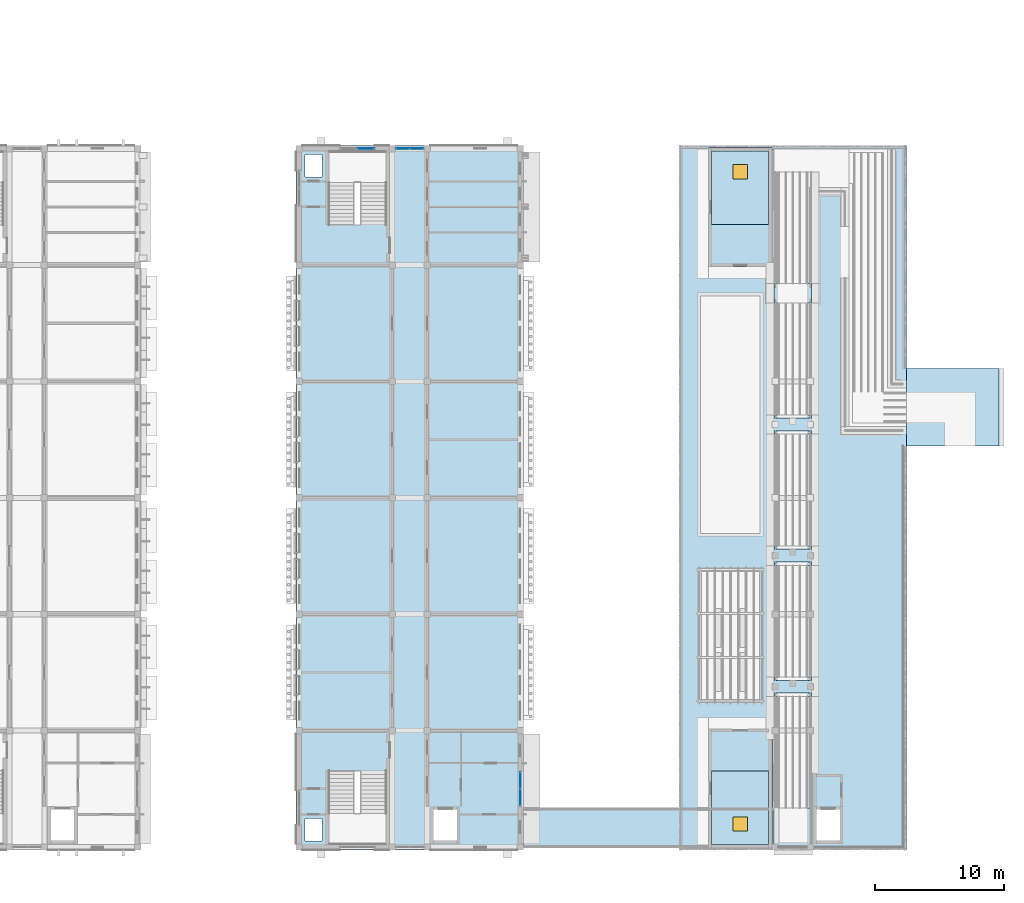
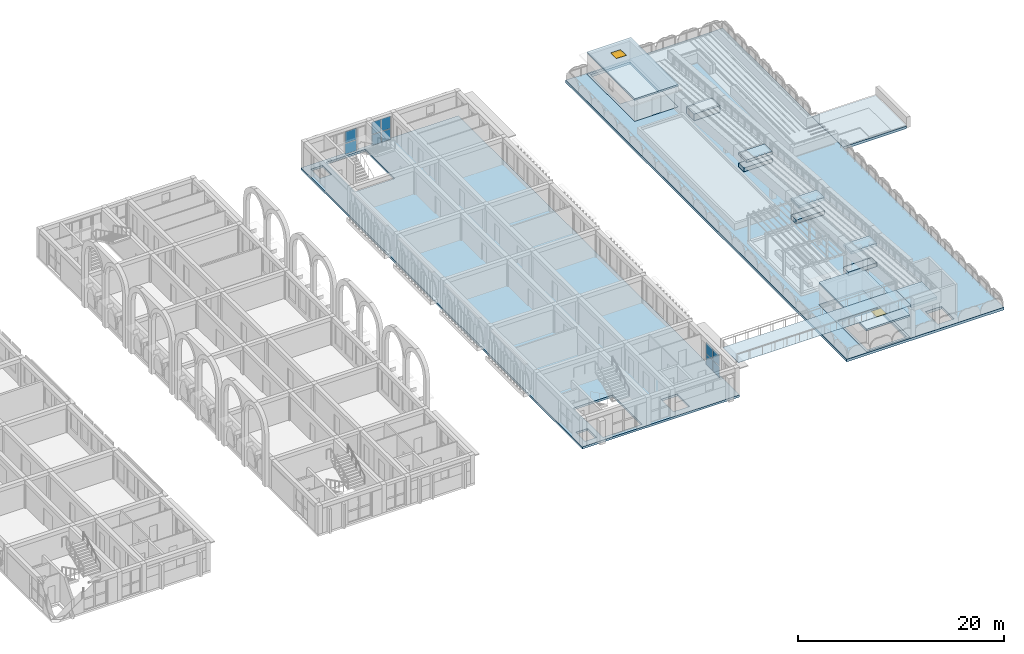
# One storey, part 32 of 70: 16 slabs, 10 plates, 2 windows, 2 openings, 4 elements without a shape of their own.
"""IFC4 building model written with IfcOpenShell, lengths in metres."""

from ifc_helpers import new_model, si_unit, direction, frame, origin, origin_2d, place, context, subcontext, project, spatial, polyline, rectangle, outline, extrude, material, layer, layer_set, type_object, element, fill, aggregate, save


model = new_model("IFC4")

# Units and contexts
model_context = context("Model", 3, precision=1e-05, world=origin(), true_north=direction((0.0, 1.0)))
body_context = subcontext(model_context, "Body", "Model", "MODEL_VIEW")
ifc_project = project(units=[si_unit("LENGTHUNIT", "METRE"), si_unit("AREAUNIT", "SQUARE_METRE"), si_unit("VOLUMEUNIT", "CUBIC_METRE"), si_unit("PLANEANGLEUNIT", "RADIAN"), si_unit("MASSUNIT", "GRAM", prefix="KILO")], contexts=[model_context])

# Site, building, storey
site_placement = place(None, origin())
site = spatial("IfcSite", under=ifc_project, at=site_placement, CompositionType="ELEMENT")
building_placement = place(site_placement, origin())
building = spatial("IfcBuilding", under=site, at=building_placement, Name="Elbe Cascade School", CompositionType="ELEMENT")
storey_placement = place(building_placement, frame((0.0, 0.0, 8.10009765625)))
storey = spatial("IfcBuildingStorey", under=building, at=storey_placement, Name="L02", CompositionType="ELEMENT", Elevation=8.10009765625)

# Curtain wall, plates
ifc_material_1 = material(Name="Aluminium frame with double glazing, bronze anodised", Category="aluminium")
ifc_layer_1 = layer(ifc_material_1, 0.159912109375)
ifc_layer_set_1 = layer_set([ifc_layer_1], Name="Aluminium frame with double glazing, bronze anodised")
curtain_wall_type = type_object("IfcCurtainWallType", Name="Bars envelope Curtain wall, aluminium, bronze anodised, storey-high slot", PredefinedType="NOTDEFINED", material=ifc_layer_set_1)
curtain_wall_1_placement = place(storey_placement, origin())
curtain_wall_1 = element("IfcCurtainWall", 1, at=curtain_wall_1_placement, inside=storey, type_object=curtain_wall_type, Name="Curtain wall CW4 C.L02.e1", PredefinedType="NOTDEFINED")
ifc_material_2 = material(Name="Glass - double glazed low-E", Category="glass")
ifc_layer_2 = layer(ifc_material_2, 0.028076171875)
ifc_layer_set_2 = layer_set([ifc_layer_2], Name="Glass - double glazed low-E")
plate_type = type_object("IfcPlateType", Name="Bars envelope Curtain wall glazing panel 28 mm, double glazed, storey-high slot", PredefinedType="CURTAIN_PANEL", material=ifc_layer_set_2)
plate_1_placement = place(storey_placement, frame((145.300048828125, 11.159912109375, 0.06005859375), z_axis=(0.0, 0.0, 1.0), x_axis=(0.0, -1.0, 0.0)))
plate_1 = element("IfcPlate", 2, at=plate_1_placement, type_object=plate_type, Name="CW4 panel 1.1", PredefinedType="CURTAIN_PANEL", context=body_context, shape_type="SweptSolid", body=[
    extrude(rectangle(XDim=1.260009765625, YDim=0.028076171875, at=origin_2d()), origin(), (0.0, 0.0, 1.0), 1.260009765625),
])
plate_2_placement = place(storey_placement, frame((145.300048828125, 11.159912109375, 1.3798828125), z_axis=(0.0, 0.0, 1.0), x_axis=(0.0, -1.0, 0.0)))
plate_2 = element("IfcPlate", 3, at=plate_2_placement, type_object=plate_type, Name="CW4 panel 1.2", PredefinedType="CURTAIN_PANEL", context=body_context, shape_type="SweptSolid", body=[
    extrude(rectangle(XDim=1.260009765625, YDim=0.028076171875, at=origin_2d()), origin(), (0.0, 0.0, 1.0), 1.31005859375),
])
plate_3_placement = place(storey_placement, frame((145.300048828125, 9.840087890625, 0.06005859375), z_axis=(0.0, 0.0, 1.0), x_axis=(0.0, -1.0, 0.0)))
plate_3 = element("IfcPlate", 4, at=plate_3_placement, type_object=plate_type, Name="CW4 panel 2.1", PredefinedType="CURTAIN_PANEL", context=body_context, shape_type="SweptSolid", body=[
    extrude(rectangle(XDim=1.260009765625, YDim=0.028076171875, at=origin_2d()), origin(), (0.0, 0.0, 1.0), 1.260009765625),
])
plate_4_placement = place(storey_placement, frame((145.300048828125, 9.840087890625, 1.3798828125), z_axis=(0.0, 0.0, 1.0), x_axis=(0.0, -1.0, 0.0)))
plate_4 = element("IfcPlate", 5, at=plate_4_placement, type_object=plate_type, Name="CW4 panel 2.2", PredefinedType="CURTAIN_PANEL", context=body_context, shape_type="SweptSolid", body=[
    extrude(rectangle(XDim=1.260009765625, YDim=0.028076171875, at=origin_2d()), origin(), (0.0, 0.0, 1.0), 1.31005859375),
])
aggregate(curtain_wall_1, [plate_1, plate_2, plate_3, plate_4])

curtain_wall_2_placement = place(storey_placement, origin())
curtain_wall_2 = element("IfcCurtainWall", 6, at=curtain_wall_2_placement, inside=storey, type_object=curtain_wall_type, Name="Curtain wall CW4 C.L02.n1", PredefinedType="NOTDEFINED")
plate_5_placement = place(storey_placement, frame((133.360107421875, 60.0, 0.06005859375), z_axis=(0.0, 0.0, 1.0), x_axis=(1.0, 0.0, 0.0)))
plate_5 = element("IfcPlate", 7, at=plate_5_placement, type_object=plate_type, Name="CW4 panel 2.1", PredefinedType="CURTAIN_PANEL", context=body_context, shape_type="SweptSolid", body=[
    extrude(rectangle(XDim=1.260009765625, YDim=0.028076171875, at=origin_2d()), origin(), (0.0, 0.0, 1.0), 1.260009765625),
])
plate_6_placement = place(storey_placement, frame((133.360107421875, 60.0, 1.3798828125), z_axis=(0.0, 0.0, 1.0), x_axis=(1.0, 0.0, 0.0)))
plate_6 = element("IfcPlate", 8, at=plate_6_placement, type_object=plate_type, Name="CW4 panel 2.2", PredefinedType="CURTAIN_PANEL", context=body_context, shape_type="SweptSolid", body=[
    extrude(rectangle(XDim=1.260009765625, YDim=0.028076171875, at=origin_2d()), origin(), (0.0, 0.0, 1.0), 1.360107421875),
])
aggregate(curtain_wall_2, [plate_5, plate_6])

curtain_wall_3_placement = place(storey_placement, origin())
curtain_wall_3 = element("IfcCurtainWall", 9, at=curtain_wall_3_placement, inside=storey, type_object=curtain_wall_type, Name="Curtain wall CW4 C.L02.n2", PredefinedType="NOTDEFINED")
plate_7_placement = place(storey_placement, frame((136.215087890625, 60.0, 0.06005859375), z_axis=(0.0, 0.0, 1.0), x_axis=(1.0, 0.0, 0.0)))
plate_7 = element("IfcPlate", 10, at=plate_7_placement, type_object=plate_type, Name="CW4 panel 1.1", PredefinedType="CURTAIN_PANEL", context=body_context, shape_type="SweptSolid", body=[
    extrude(rectangle(XDim=1.010009765625, YDim=0.028076171875, at=origin_2d()), origin(), (0.0, 0.0, 1.0), 1.260009765625),
])
plate_8_placement = place(storey_placement, frame((136.215087890625, 60.0, 1.3798828125), z_axis=(0.0, 0.0, 1.0), x_axis=(1.0, 0.0, 0.0)))
plate_8 = element("IfcPlate", 11, at=plate_8_placement, type_object=plate_type, Name="CW4 panel 1.2", PredefinedType="CURTAIN_PANEL", context=body_context, shape_type="SweptSolid", body=[
    extrude(rectangle(XDim=1.010009765625, YDim=0.028076171875, at=origin_2d()), origin(), (0.0, 0.0, 1.0), 1.4599609375),
])
plate_9_placement = place(storey_placement, frame((137.284912109375, 60.0, 0.06005859375), z_axis=(0.0, 0.0, 1.0), x_axis=(1.0, 0.0, 0.0)))
plate_9 = element("IfcPlate", 12, at=plate_9_placement, type_object=plate_type, Name="CW4 panel 2.1", PredefinedType="CURTAIN_PANEL", context=body_context, shape_type="SweptSolid", body=[
    extrude(rectangle(XDim=1.010009765625, YDim=0.028076171875, at=origin_2d()), origin(), (0.0, 0.0, 1.0), 1.260009765625),
])
plate_10_placement = place(storey_placement, frame((137.284912109375, 60.0, 1.3798828125), z_axis=(0.0, 0.0, 1.0), x_axis=(1.0, 0.0, 0.0)))
plate_10 = element("IfcPlate", 13, at=plate_10_placement, type_object=plate_type, Name="CW4 panel 2.2", PredefinedType="CURTAIN_PANEL", context=body_context, shape_type="SweptSolid", body=[
    extrude(rectangle(XDim=1.010009765625, YDim=0.028076171875, at=origin_2d()), origin(), (0.0, 0.0, 1.0), 1.4599609375),
])
aggregate(curtain_wall_3, [plate_7, plate_8, plate_9, plate_10])

# Slabs
ifc_material_3 = material(Name="Concrete C30/37", Category="concrete")
ifc_layer_3 = layer(ifc_material_3, 0.300048828125)
ifc_layer_set_3 = layer_set([ifc_layer_3], Name="Concrete C30/37")
slab_type_1 = type_object("IfcSlabType", Name="Cascade top landing 300", PredefinedType="LANDING", material=ifc_layer_set_3)
slab_1_placement = place(storey_placement, frame((0.0, 0.0, -0.300048828125)))
element("IfcSlab", 14, at=slab_1_placement, inside=storey, type_object=slab_type_1, Name="Cascade top landing", PredefinedType="LANDING", context=body_context, shape_type="SweptSolid", body=[
    extrude(outline(polyline([(175.14990234375, 37.0), (182.300048828125, 37.0), (182.300048828125, 43.0), (175.14990234375, 43.0), (175.14990234375, 37.0)])), origin(), (0.0, 0.0, 1.0), 0.300048828125),
])
ifc_material_4 = material(Name="Concrete C30/37", Category="concrete")
ifc_layer_4 = layer(ifc_material_4, 0.25)
ifc_layer_set_4 = layer_set([ifc_layer_4], Name="Concrete C30/37")
slab_type_2 = type_object("IfcSlabType", Name="Floor slab 250", PredefinedType="FLOOR", material=ifc_layer_set_4)
slab_2_placement = place(storey_placement, frame((0.0, 0.0, -0.25)))
element("IfcSlab", 15, at=slab_2_placement, inside=storey, type_object=slab_type_2, Name="Floor slab 250 S2", PredefinedType="FLOOR", context=body_context, shape_type="SweptSolid", body=[
    extrude(outline(polyline([(127.949951171875, 5.75), (145.550048828125, 5.75), (145.550048828125, 60.25), (127.949951171875, 60.25), (127.949951171875, 5.75)]), holes=[polyline([(130.5, 6.179931640625), (134.89990234375, 6.179931640625), (134.89990234375, 11.8798828125), (130.5, 11.8798828125), (130.5, 6.179931640625)]), polyline([(138.60009765625, 6.5), (140.39990234375, 6.5), (140.39990234375, 8.89990234375), (138.60009765625, 8.89990234375), (138.60009765625, 6.5)]), polyline([(130.5, 54.1201171875), (134.89990234375, 54.1201171875), (134.89990234375, 59.820068359375), (130.5, 59.820068359375), (130.5, 54.1201171875)]), polyline([(128.64990234375, 6.449951171875), (129.949951171875, 6.449951171875), (129.949951171875, 8.199951171875), (128.64990234375, 8.199951171875), (128.64990234375, 6.449951171875)]), polyline([(128.64990234375, 57.800048828125), (129.949951171875, 57.800048828125), (129.949951171875, 59.550048828125), (128.64990234375, 59.550048828125), (128.64990234375, 57.800048828125)])]), origin(), (0.0, 0.0, 1.0), 0.25),
])
ifc_material_5 = material(Name="Concrete C30/37", Category="concrete")
ifc_layer_5 = layer(ifc_material_5, 0.300048828125)
ifc_layer_set_5 = layer_set([ifc_layer_5], Name="Concrete C30/37")
slab_type_3 = type_object("IfcSlabType", Name="Head-house floor slab 300", PredefinedType="FLOOR", material=ifc_layer_set_5)
slab_3_placement = place(storey_placement, frame((0.0, 0.0, -0.300048828125)))
element("IfcSlab", 16, at=slab_3_placement, inside=storey, type_object=slab_type_3, Name="Head-house floor slab 300 S7", PredefinedType="FLOOR", context=body_context, shape_type="SweptSolid", body=[
    extrude(outline(polyline([(159.85009765625, 5.929931640625), (164.75, 5.929931640625), (164.75, 15.125), (159.85009765625, 15.125), (159.85009765625, 5.929931640625)]), holes=[polyline([(160.10009765625, 6.179931640625), (164.5, 6.179931640625), (164.5, 11.8798828125), (160.10009765625, 11.8798828125), (160.10009765625, 6.179931640625)])]), origin(), (0.0, 0.0, 1.0), 0.300048828125),
])
slab_4_placement = place(storey_placement, frame((0.0, 0.0, -0.300048828125)))
element("IfcSlab", 17, at=slab_4_placement, inside=storey, type_object=slab_type_3, Name="Head-house floor slab 300 S7", PredefinedType="FLOOR", context=body_context, shape_type="SweptSolid", body=[
    extrude(outline(polyline([(159.85009765625, 50.875), (164.75, 50.875), (164.75, 60.070068359375), (159.85009765625, 60.070068359375), (159.85009765625, 50.875)]), holes=[polyline([(160.10009765625, 54.1201171875), (164.5, 54.1201171875), (164.5, 59.820068359375), (160.10009765625, 59.820068359375), (160.10009765625, 54.1201171875)])]), origin(), (0.0, 0.0, 1.0), 0.300048828125),
])
ifc_material_6 = material(Name="Concrete C30/37", Category="concrete")
ifc_layer_6 = layer(ifc_material_6, 0.449951171875)
ifc_layer_set_6 = layer_set([ifc_layer_6], Name="Concrete C30/37")
slab_type_4 = type_object("IfcSlabType", Name="RC roof plinth 450", PredefinedType="FLOOR", material=ifc_layer_set_6)
slab_5_placement = place(storey_placement, origin())
element("IfcSlab", 18, at=slab_5_placement, inside=storey, type_object=slab_type_4, Name="Roof ramp D plinth 1", PredefinedType="FLOOR", context=body_context, shape_type="SweptSolid", body=[
    extrude(outline(polyline([(164.75, 17.889892578125), (167.949951171875, 17.889892578125), (167.949951171875, 18.889892578125), (164.75, 18.889892578125), (164.75, 17.889892578125)])), origin(), (0.0, 0.0, 1.0), 0.449951171875),
])
slab_6_placement = place(storey_placement, origin())
element("IfcSlab", 19, at=slab_6_placement, inside=storey, type_object=slab_type_4, Name="Roof ramp D plinth 2", PredefinedType="FLOOR", context=body_context, shape_type="SweptSolid", body=[
    extrude(outline(polyline([(164.75, 28.030029296875), (167.949951171875, 28.030029296875), (167.949951171875, 29.030029296875), (164.75, 29.030029296875), (164.75, 28.030029296875)])), origin(), (0.0, 0.0, 1.0), 0.449951171875),
])
slab_7_placement = place(storey_placement, origin())
element("IfcSlab", 20, at=slab_7_placement, inside=storey, type_object=slab_type_4, Name="Roof ramp D plinth 3", PredefinedType="FLOOR", context=body_context, shape_type="SweptSolid", body=[
    extrude(outline(polyline([(164.75, 38.169921875), (167.949951171875, 38.169921875), (167.949951171875, 39.169921875), (164.75, 39.169921875), (164.75, 38.169921875)])), origin(), (0.0, 0.0, 1.0), 0.449951171875),
])
ifc_material_7 = material(Name="Concrete C30/37", Category="concrete")
ifc_layer_7 = layer(ifc_material_7, 0.300048828125)
ifc_layer_set_7 = layer_set([ifc_layer_7], Name="Concrete C30/37")
slab_type_5 = type_object("IfcSlabType", Name="Roof deck slab 300", PredefinedType="ROOF", material=ifc_layer_set_7)
slab_8_placement = place(storey_placement, frame((0.0, 0.0, -0.300048828125)))
element("IfcSlab", 21, at=slab_8_placement, inside=storey, type_object=slab_type_5, Name="Roof deck slab 300 S3", PredefinedType="ROOF", context=body_context, shape_type="SweptSolid", body=[
    extrude(outline(polyline([(157.550048828125, 5.75), (175.14990234375, 5.75), (175.14990234375, 60.25), (157.550048828125, 60.25), (157.550048828125, 5.75)]), holes=[polyline([(159.85009765625, 5.929931640625), (164.75, 5.929931640625), (164.75, 15.125), (159.85009765625, 15.125), (159.85009765625, 5.929931640625)]), polyline([(168.199951171875, 6.5), (170.0, 6.5), (170.0, 8.89990234375), (168.199951171875, 8.89990234375), (168.199951171875, 6.5)]), polyline([(159.85009765625, 50.875), (164.75, 50.875), (164.75, 60.070068359375), (159.85009765625, 60.070068359375), (159.85009765625, 50.875)])]), origin(), (0.0, 0.0, 1.0), 0.300048828125),
])

# Ramp, slabs
ifc_material_8 = material(Name="Concrete C30/37", Category="concrete")
ramp_type = type_object("IfcRampType", Name="Roof ramp", PredefinedType="STRAIGHT_RUN_RAMP", material=ifc_material_8)
ramp_placement = place(storey_placement, origin())
ramp = element("IfcRamp", 22, at=ramp_placement, inside=storey, type_object=ramp_type, Name="Roof ramp D", PredefinedType="STRAIGHT_RUN_RAMP")
ifc_material_9 = material(Name="Concrete C30/37", Category="concrete")
ifc_layer_8 = layer(ifc_material_9, 0.300048828125)
ifc_layer_set_8 = layer_set([ifc_layer_8], Name="Concrete C30/37")
slab_type_6 = type_object("IfcSlabType", Name="Roof ramp landing 300", PredefinedType="LANDING", material=ifc_layer_set_8)
slab_9_placement = place(storey_placement, frame((0.0, 0.0, 3.35986328125)))
slab_9 = element("IfcSlab", 23, at=slab_9_placement, type_object=slab_type_6, Name="Roof ramp D landing 1", PredefinedType="LANDING", context=body_context, shape_type="SweptSolid", body=[
    extrude(outline(polyline([(167.800048828125, 6.0), (167.800048828125, 9.0), (164.89990234375, 9.0), (164.89990234375, 6.0), (167.800048828125, 6.0)])), origin(), (0.0, 0.0, 1.0), 0.300048828125),
])
slab_10_placement = place(storey_placement, frame((0.0, 0.0, 2.639892578125)))
slab_10 = element("IfcSlab", 24, at=slab_10_placement, type_object=slab_type_6, Name="Roof ramp D landing 2", PredefinedType="LANDING", context=body_context, shape_type="SweptSolid", body=[
    extrude(outline(polyline([(167.800048828125, 17.639892578125), (167.800048828125, 19.139892578125), (164.89990234375, 19.139892578125), (164.89990234375, 17.639892578125), (167.800048828125, 17.639892578125)])), origin(), (0.0, 0.0, 1.0), 0.300048828125),
])
slab_11_placement = place(storey_placement, frame((0.0, 0.0, 1.919921875)))
slab_11 = element("IfcSlab", 25, at=slab_11_placement, type_object=slab_type_6, Name="Roof ramp D landing 3", PredefinedType="LANDING", context=body_context, shape_type="SweptSolid", body=[
    extrude(outline(polyline([(167.800048828125, 27.780029296875), (167.800048828125, 29.280029296875), (164.89990234375, 29.280029296875), (164.89990234375, 27.780029296875), (167.800048828125, 27.780029296875)])), origin(), (0.0, 0.0, 1.0), 0.300048828125),
])
slab_12_placement = place(storey_placement, frame((0.0, 0.0, 1.199951171875)))
slab_12 = element("IfcSlab", 26, at=slab_12_placement, type_object=slab_type_6, Name="Roof ramp D landing 4", PredefinedType="LANDING", context=body_context, shape_type="SweptSolid", body=[
    extrude(outline(polyline([(167.800048828125, 37.919921875), (167.800048828125, 39.419921875), (164.89990234375, 39.419921875), (164.89990234375, 37.919921875), (167.800048828125, 37.919921875)])), origin(), (0.0, 0.0, 1.0), 0.300048828125),
])
ifc_material_10 = material(Name="Concrete C30/37", Category="concrete")
ifc_layer_9 = layer(ifc_material_10, 0.780029296875)
ifc_layer_set_9 = layer_set([ifc_layer_9], Name="Concrete C30/37")
slab_type_7 = type_object("IfcSlabType", Name="Roof ramp landing on deck 780", PredefinedType="LANDING", material=ifc_layer_set_9)
slab_13_placement = place(storey_placement, origin())
slab_13 = element("IfcSlab", 27, at=slab_13_placement, type_object=slab_type_7, Name="Roof ramp D landing 5", PredefinedType="LANDING", context=body_context, shape_type="SweptSolid", body=[
    extrude(outline(polyline([(167.800048828125, 48.06005859375), (167.800048828125, 49.56005859375), (164.89990234375, 49.56005859375), (164.89990234375, 48.06005859375), (167.800048828125, 48.06005859375)])), origin(), (0.0, 0.0, 1.0), 0.77978515625),
])

# Slab, opening, window
ifc_material_11 = material(Name="Concrete C30/37", Category="concrete")
ifc_layer_10 = layer(ifc_material_11, 0.199951171875)
ifc_layer_set_10 = layer_set([ifc_layer_10], Name="Concrete C30/37")
slab_type_8 = type_object("IfcSlabType", Name="Roof slab 200", PredefinedType="ROOF", material=ifc_layer_set_10)
slab_14_placement = place(storey_placement, frame((0.0, 0.0, 2.449951171875)))
slab_14 = element("IfcSlab", 28, at=slab_14_placement, inside=storey, type_object=slab_type_8, Name="Roof slab 200 S4", PredefinedType="ROOF", context=body_context, shape_type="SweptSolid", body=[
    extrude(outline(polyline([(159.85009765625, 5.929931640625), (164.75, 5.929931640625), (164.75, 15.125), (159.85009765625, 15.125), (159.85009765625, 5.929931640625)])), origin(), (0.0, 0.0, 1.0), 0.199951171875),
])
opening_1_placement = place(slab_14_placement, frame((162.300048828125, 7.780029296875, 0.0)))
opening_1 = element("IfcOpeningElement", 29, at=opening_1_placement, cuts=slab_14, Name="Opening W2.120", PredefinedType="OPENING", context=body_context, shape_type="SweptSolid", body=[
    extrude(rectangle(XDim=1.10009765625, YDim=1.10009765625, at=origin_2d()), origin(), (0.0, 0.0, 1.0), 0.199951171875),
])
ifc_material_12 = material(Name="Aluminium frame with smoke-vent flap, bronze anodised", Category="aluminium")
window_type = type_object("IfcWindowType", Name="Stair smoke vent 1100x1100", PartitioningType="SINGLE_PANEL", PredefinedType="SKYLIGHT", material=ifc_material_12)
window_1_placement = place(opening_1_placement, frame((0.0, 0.0, 0.14990234375)))
window_1 = element("IfcWindow", 30, at=window_1_placement, inside=storey, type_object=window_type, Name="Stair smoke vent 1100x1100 W2.120", OverallHeight=1.10009765625, OverallWidth=1.10009765625, PartitioningType="SINGLE_PANEL", PredefinedType="SKYLIGHT", context=body_context, shape_type="SweptSolid", body=[
    extrude(rectangle(XDim=1.10009765625, YDim=1.10009765625, at=origin_2d()), origin(), (0.0, 0.0, 1.0), 0.050048828125),
])
fill(opening_1, window_1)

slab_15_placement = place(storey_placement, frame((0.0, 0.0, 2.449951171875)))
slab_15 = element("IfcSlab", 31, at=slab_15_placement, inside=storey, type_object=slab_type_8, Name="Roof slab 200 S4", PredefinedType="ROOF", context=body_context, shape_type="SweptSolid", body=[
    extrude(outline(polyline([(159.85009765625, 50.875), (164.75, 50.875), (164.75, 60.070068359375), (159.85009765625, 60.070068359375), (159.85009765625, 50.875)])), origin(), (0.0, 0.0, 1.0), 0.199951171875),
])
opening_2_placement = place(slab_15_placement, frame((162.300048828125, 58.219970703125, 0.0)))
opening_2 = element("IfcOpeningElement", 32, at=opening_2_placement, cuts=slab_15, Name="Opening W2.119", PredefinedType="OPENING", context=body_context, shape_type="SweptSolid", body=[
    extrude(rectangle(XDim=1.10009765625, YDim=1.10009765625, at=origin_2d()), origin(), (0.0, 0.0, 1.0), 0.199951171875),
])
window_2_placement = place(opening_2_placement, frame((0.0, 0.0, 0.14990234375)))
window_2 = element("IfcWindow", 33, at=window_2_placement, inside=storey, type_object=window_type, Name="Stair smoke vent 1100x1100 W2.119", OverallHeight=1.10009765625, OverallWidth=1.10009765625, PartitioningType="SINGLE_PANEL", PredefinedType="SKYLIGHT", context=body_context, shape_type="SweptSolid", body=[
    extrude(rectangle(XDim=1.10009765625, YDim=1.10009765625, at=origin_2d()), origin(), (0.0, 0.0, 1.0), 0.050048828125),
])
fill(opening_2, window_2)

# Slab
ifc_material_13 = material(Name="Steel S355J2", Category="steel")
ifc_layer_11 = layer(ifc_material_13, 0.02001953125)
ifc_layer_set_11 = layer_set([ifc_layer_11], Name="Steel S355J2")
slab_type_9 = type_object("IfcSlabType", Name="Steel bridge deck plate 20", PredefinedType="LANDING", material=ifc_layer_set_11)
slab_16_placement = place(storey_placement, frame((0.0, 0.0, 3.639892578125)))
slab_16 = element("IfcSlab", 34, at=slab_16_placement, type_object=slab_type_9, Name="Bridge C-D deck plate", PredefinedType="LANDING", context=body_context, shape_type="SweptSolid", body=[
    extrude(outline(polyline([(145.550048828125, 6.0), (164.89990234375, 6.0), (164.89990234375, 9.0), (145.550048828125, 9.0), (145.550048828125, 6.0)])), origin(), (0.0, 0.0, 1.0), 0.02001953125),
])

aggregate(ramp, [slab_9, slab_10, slab_11, slab_12, slab_13, slab_16])

save(model, "model.ifc")
